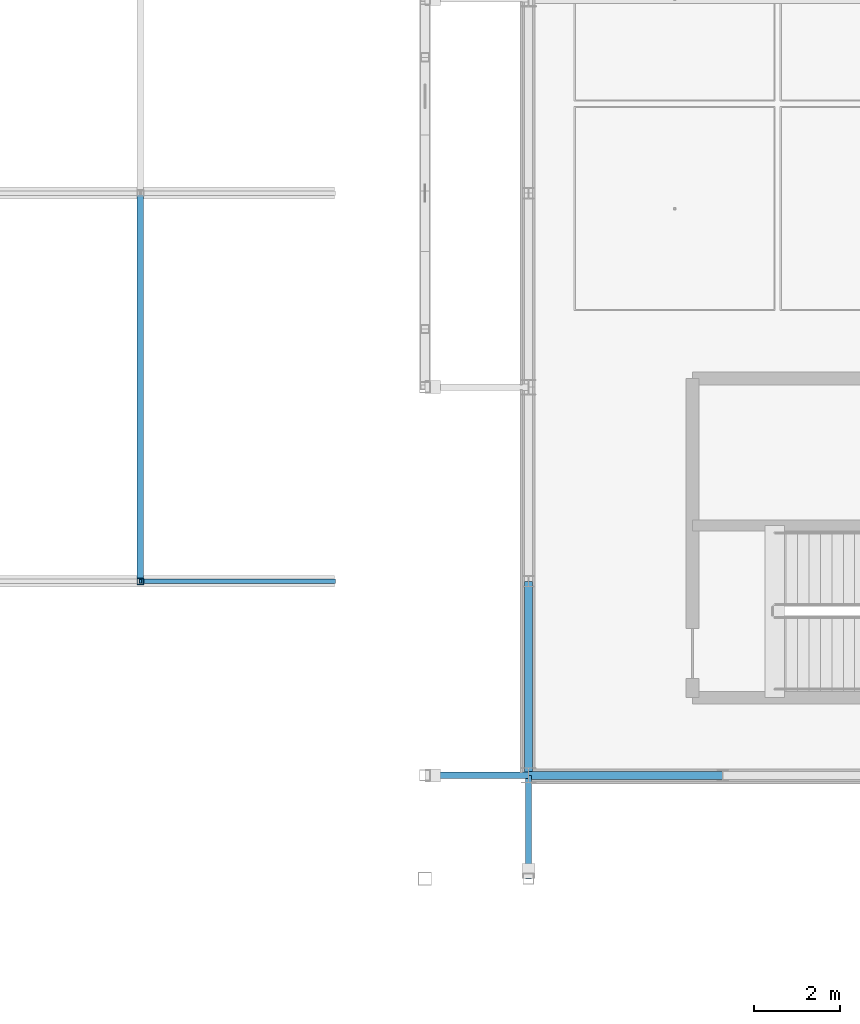
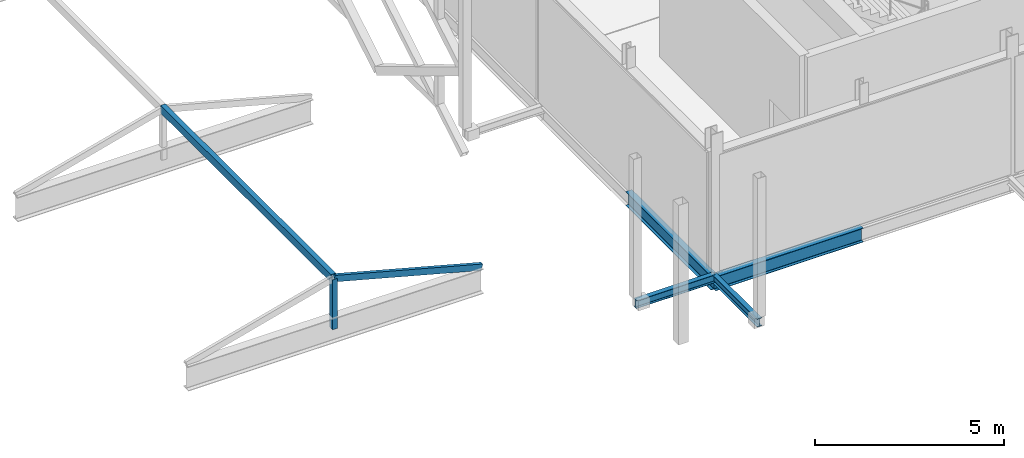
# One storey, part 17 of 89: 5 beams, 2 members.
"""IFC4 building model written with IfcOpenShell, lengths in metres."""

from ifc_helpers import new_model, si_unit, direction, frame, origin, origin_2d, place, context, subcontext, project, spatial, hollow_rectangle, i_section, extrude, material, material_profile, profile_set, type_object, element, save


model = new_model("IFC4")

# Units and contexts
model_context = context("Model", 3, precision=1e-05, world=origin(), true_north=direction((0.0, 1.0)))
body_context = subcontext(model_context, "Body", "Model", "MODEL_VIEW")
ifc_project = project(units=[si_unit("LENGTHUNIT", "METRE"), si_unit("AREAUNIT", "SQUARE_METRE"), si_unit("VOLUMEUNIT", "CUBIC_METRE"), si_unit("PLANEANGLEUNIT", "RADIAN"), si_unit("MASSUNIT", "GRAM", prefix="KILO"), si_unit("THERMODYNAMICTEMPERATUREUNIT", "KELVIN"), si_unit("POWERUNIT", "WATT")], contexts=[model_context])

# Site, building, storey
site_placement = place(None, origin())
site = spatial("IfcSite", under=ifc_project, at=site_placement, CompositionType="ELEMENT")
building_placement = place(site_placement, origin())
building = spatial("IfcBuilding", under=site, at=building_placement, Name="Tallowbark Science Centre", CompositionType="ELEMENT")
storey_placement = place(building_placement, frame((0.0, 0.0, 14.39990234375)))
storey = spatial("IfcBuildingStorey", under=building, at=storey_placement, Name="L03", CompositionType="ELEMENT", Elevation=14.39990234375)

# Beams
ifc_material_1 = material(Name="White Architectural Painted Steel Grade C350L0 (350 MPa)", Category="steel")
ifc_material_profile_1 = material_profile(ifc_material_1, i_section(OverallWidth=0.146484375, OverallDepth=0.256103515625, WebThickness=0.00634765625, FlangeThickness=0.010986328125, FilletRadius=0.0087890625, at=origin_2d()), Name="250UB37.3")
ifc_profile_set_1 = profile_set([ifc_material_profile_1], Name="White Architectural Painted Steel Grade C350L0 (350 MPa)")
beam_type_1 = type_object("IfcBeamType", Name="BM-OUT250", PredefinedType="BEAM", material=ifc_profile_set_1)
for number, where, z_axis, x_axis, name in (
    (1, (58.5, 4.5, -0.25), (0.0, -1.0, 0.0), (1.0, 0.0, 0.0), "Star Screen Outrigger Tie Beam S-37"),
    (2, (58.5, 4.5, -0.25), (-1.0, 0.0, 0.0), (0.0, -1.0, 0.0), "Star Screen Outrigger Tie Beam W-48"),
):
    element("IfcBeam", number, at=place(storey_placement, frame(where, z_axis=z_axis, x_axis=x_axis)), inside=storey, type_object=beam_type_1, Name=name, PredefinedType="BEAM", context=body_context, shape_type="SweptSolid", body=[
        extrude(i_section(OverallWidth=0.146484375, OverallDepth=0.256103515625, WebThickness=0.00634765625, FlangeThickness=0.010986328125, FilletRadius=0.0087890625, at=origin_2d()), origin(), (0.0, 0.0, 1.0), 2.39990234375),
    ])

# Member
ifc_material_2 = material(Name="Structural Steel Grade C350L0 (350 MPa)", Category="steel")
ifc_material_profile_2 = material_profile(ifc_material_2, hollow_rectangle(XDim=0.10009765625, YDim=0.199951171875, WallThickness=0.006103515625, at=origin_2d()), Name="200x100x6.0RHS")
ifc_profile_set_2 = profile_set([ifc_material_profile_2], Name="Structural Steel Grade C350L0 (350 MPa)")
member_type_1 = type_object("IfcMemberType", Name="RFT-200RHS", PredefinedType="RAFTER", material=ifc_profile_set_2)
member_1_placement = place(storey_placement, frame((49.5, 9.0, 0.156005859375), z_axis=(0.965923723713, 0.0, -0.258826891896), x_axis=(0.0, 1.0, 0.0)))
element("IfcMember", 3, at=member_1_placement, inside=storey, type_object=member_type_1, Name="Passage Skylight East Rafter 2H", PredefinedType="RAFTER", context=body_context, shape_type="SweptSolid", body=[
    extrude(hollow_rectangle(XDim=0.10009765625, YDim=0.199951171875, WallThickness=0.006103515625, at=origin_2d()), origin(), (0.0, 0.0, 1.0), 4.65869140625),
])

# Beams
ifc_material_profile_3 = material_profile(ifc_material_1, hollow_rectangle(XDim=0.14990234375, YDim=0.25, WallThickness=0.009033203125, at=origin_2d()), Name="250x150x9.0RHS")
ifc_profile_set_3 = profile_set([ifc_material_profile_3], Name="White Architectural Painted Steel Grade C350L0 (350 MPa)")
beam_type_2 = type_object("IfcBeamType", Name="SPN-RHS250", PredefinedType="SPANDREL", material=ifc_profile_set_3)
beam_placement = place(storey_placement, frame((49.5, 9.0, 0.156005859375), z_axis=(0.0, 1.0, 0.0), x_axis=(-1.0, 0.0, 0.0)))
element("IfcBeam", 4, at=beam_placement, inside=storey, type_object=beam_type_2, Name="Passage Skylight Ridge Beam 2", PredefinedType="SPANDREL", context=body_context, shape_type="SweptSolid", body=[
    extrude(hollow_rectangle(XDim=0.14990234375, YDim=0.25, WallThickness=0.009033203125, at=origin_2d()), origin(), (0.0, 0.0, 1.0), 9.0),
])
ifc_material_3 = material(Name="Structural Steel Grade 300PLUS (300 MPa)", Category="steel")
ifc_material_profile_4 = material_profile(ifc_material_3, i_section(OverallWidth=0.18994140625, OverallDepth=0.453857421875, WebThickness=0.008544921875, FlangeThickness=0.0126953125, FilletRadius=0.011474609375, at=origin_2d()), Name="460UB67.1")
ifc_profile_set_4 = profile_set([ifc_material_profile_4], Name="Structural Steel Grade 300PLUS (300 MPa)")
beam_type_3 = type_object("IfcBeamType", Name="SPN-UB460", PredefinedType="SPANDREL", material=ifc_profile_set_4)
for number, where, z_axis, x_axis, name in (
    (5, (58.5, 4.5, -0.40673828125), (1.0, 0.0, 0.0), (0.0, 1.0, 0.0), "Primary Girder GRDX-L03-585-630-45"),
    (6, (58.5, 4.5, -0.40673828125), (0.0, 1.0, 0.0), (-1.0, 0.0, 0.0), "Primary Girder GRDY-L03-585-45-90"),
):
    element("IfcBeam", number, at=place(storey_placement, frame(where, z_axis=z_axis, x_axis=x_axis)), inside=storey, type_object=beam_type_3, Name=name, PredefinedType="SPANDREL", context=body_context, shape_type="SweptSolid", body=[
        extrude(i_section(OverallWidth=0.18994140625, OverallDepth=0.453857421875, WebThickness=0.008544921875, FlangeThickness=0.0126953125, FilletRadius=0.011474609375, at=origin_2d()), origin(), (0.0, 0.0, 1.0), 4.5),
    ])

# Member
ifc_material_profile_5 = material_profile(ifc_material_2, hollow_rectangle(XDim=0.14990234375, YDim=0.14990234375, WallThickness=0.006103515625, at=origin_2d()), Name="150x150x6.0SHS")
ifc_profile_set_5 = profile_set([ifc_material_profile_5], Name="Structural Steel Grade C350L0 (350 MPa)")
member_type_2 = type_object("IfcMemberType", Name="STR-PAS-KP", PredefinedType="POST", material=ifc_profile_set_5)
member_2_placement = place(storey_placement, frame((49.5, 9.0, -1.449951171875), z_axis=(0.0, 0.0, 1.0), x_axis=(1.0, 0.0, 0.0)))
element("IfcMember", 7, at=member_2_placement, inside=storey, type_object=member_type_2, Name="Passage Skylight Truss King Post 2H", PredefinedType="POST", context=body_context, shape_type="SweptSolid", body=[
    extrude(hollow_rectangle(XDim=0.14990234375, YDim=0.14990234375, WallThickness=0.006103515625, at=origin_2d()), origin(), (0.0, 0.0, 1.0), 1.60595703125),
])

save(model, "model.ifc")
